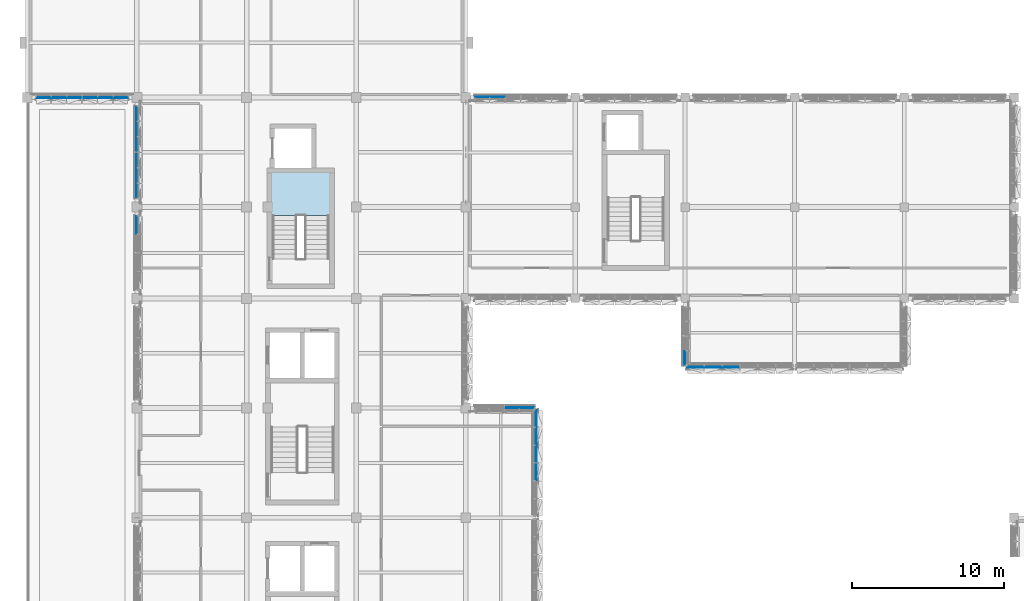
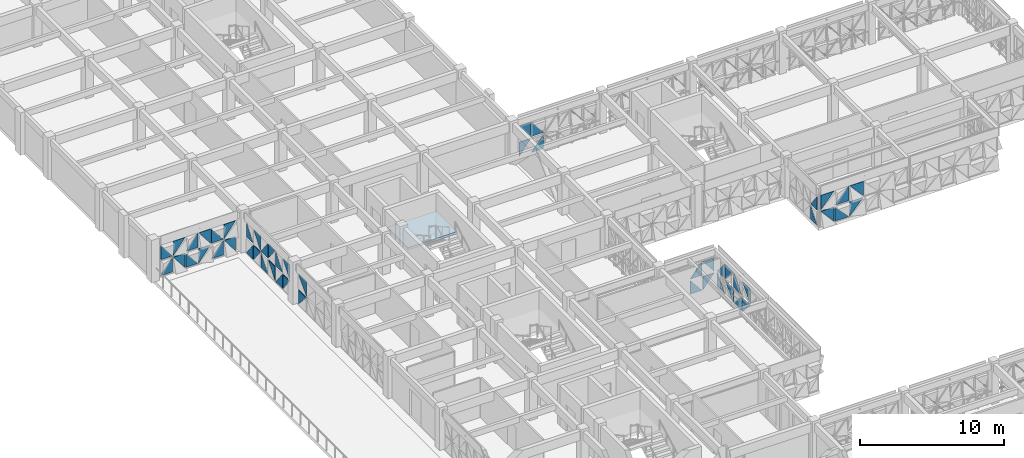
# One storey, part 34 of 85: 50 plates, 1 slab, 9 elements without a shape of their own.
"""IFC4 building model written with IfcOpenShell, lengths in metres."""

from ifc_helpers import new_model, si_unit, direction, frame, origin, place, context, subcontext, project, spatial, polyline, outline, extrude, material, layer, layer_set, type_object, element, aggregate, save


model = new_model("IFC4")

# Units and contexts
model_context = context("Model", 3, precision=1e-05, world=origin(), true_north=direction((0.0, 1.0)))
body_context = subcontext(model_context, "Body", "Model", "MODEL_VIEW")
ifc_project = project(units=[si_unit("LENGTHUNIT", "METRE"), si_unit("AREAUNIT", "SQUARE_METRE"), si_unit("VOLUMEUNIT", "CUBIC_METRE"), si_unit("PLANEANGLEUNIT", "RADIAN"), si_unit("MASSUNIT", "GRAM", prefix="KILO")], contexts=[model_context])

# Site, building, storey
site_placement = place(None, origin())
site = spatial("IfcSite", under=ifc_project, at=site_placement, CompositionType="ELEMENT")
building_placement = place(site_placement, origin())
building = spatial("IfcBuilding", under=site, at=building_placement, Name="Alvorim Cloister Faculty of Sciences", CompositionType="ELEMENT")
storey_placement = place(building_placement, frame((0.0, 0.0, 8.550048828125)))
storey = spatial("IfcBuildingStorey", under=building, at=storey_placement, Name="L02", CompositionType="ELEMENT", Elevation=8.550048828125)

# Curtain wall, plates
ifc_material_1 = material(Name="Aluminium and Low-E Glass Curtain Wall", Category="aluminium")
curtain_wall_type_1 = type_object("IfcCurtainWallType", Name="CW-TRI-4920x2850", PredefinedType="USERDEFINED", material=ifc_material_1)
curtain_wall_1_placement = place(storey_placement, origin())
curtain_wall_1 = element("IfcCurtainWall", 1, at=curtain_wall_1_placement, inside=storey, type_object=curtain_wall_type_1, Name="L02 Diagonal Cassette Curtain Wall CW-0053", ObjectType="UNITISED CURTAIN WALL", PredefinedType="USERDEFINED")
ifc_material_2 = material(Name="Double Low-E Laminated Glass", Category="glass")
ifc_layer_1 = layer(ifc_material_2, 0.0400390625)
ifc_layer_set_1 = layer_set([ifc_layer_1], Name="Double Low-E Laminated Glass")
plate_type = type_object("IfcPlateType", Name="PN-GLZ-40", PredefinedType="CURTAIN_PANEL", material=ifc_layer_set_1)
plate_1_placement = place(storey_placement, frame((7.175048828125, 47.46240234375, 0.139892578125), z_axis=(0.0, 0.0, 1.0), x_axis=(0.0, 1.0, 0.0)))
plate_1 = element("IfcPlate", 2, at=plate_1_placement, type_object=plate_type, Name="Diagonal Glazed Triangle TRI-TR", PredefinedType="CURTAIN_PANEL", context=body_context, shape_type="SweptSolid", body=[
    extrude(outline(polyline([(1.132568359375, 0.001953125), (1.132568359375, 1.215087890625), (0.001953125, 1.215087890625), (1.132568359375, 0.001953125)])), frame((0.0, 0.02490234375, 0.0), z_axis=(0.0, -1.0, 0.0), x_axis=(1.0, 0.0, 0.0)), (0.0, 0.0, 1.0), 0.050048828125),
])
plate_2_placement = place(storey_placement, frame((7.175048828125, 47.46240234375, 1.494873046875), z_axis=(0.0, 0.0, 1.0), x_axis=(0.0, 1.0, 0.0)))
plate_2 = element("IfcPlate", 3, at=plate_2_placement, type_object=plate_type, Name="Diagonal Glazed Triangle TRI-TL", PredefinedType="CURTAIN_PANEL", context=body_context, shape_type="SweptSolid", body=[
    extrude(outline(polyline([(1.130615234375, 1.215087890625), (0.0, 1.215087890625), (0.0, 0.001953125), (1.130615234375, 1.215087890625)])), frame((0.0, 0.02490234375, 0.0), z_axis=(0.0, -1.0, 0.0), x_axis=(1.0, 0.0, 0.0)), (0.0, 0.0, 1.0), 0.050048828125),
])
aggregate(curtain_wall_1, [plate_1, plate_2])

curtain_wall_type_2 = type_object("IfcCurtainWallType", Name="CW-TRI-6120x2850", PredefinedType="USERDEFINED", material=ifc_material_1)
curtain_wall_2_placement = place(storey_placement, origin())
curtain_wall_2 = element("IfcCurtainWall", 4, at=curtain_wall_2_placement, inside=storey, type_object=curtain_wall_type_2, Name="L02 Diagonal Cassette Curtain Wall CW-0054", ObjectType="UNITISED CURTAIN WALL", PredefinedType="USERDEFINED")
plate_3_placement = place(storey_placement, frame((7.175048828125, 49.804931640625, 0.139892578125), z_axis=(0.0, 0.0, 1.0), x_axis=(0.0, 1.0, 0.0)))
plate_3 = element("IfcPlate", 5, at=plate_3_placement, type_object=plate_type, Name="Diagonal Glazed Triangle TRI-TR", PredefinedType="CURTAIN_PANEL", context=body_context, shape_type="SweptSolid", body=[
    extrude(outline(polyline([(0.922607421875, 0.001953125), (0.922607421875, 1.215087890625), (0.001953125, 1.215087890625), (0.922607421875, 0.001953125)])), frame((0.0, 0.02490234375, 0.0), z_axis=(0.0, -1.0, 0.0), x_axis=(1.0, 0.0, 0.0)), (0.0, 0.0, 1.0), 0.050048828125),
])
plate_4_placement = place(storey_placement, frame((7.175048828125, 49.804931640625, 1.494873046875), z_axis=(0.0, 0.0, 1.0), x_axis=(0.0, 1.0, 0.0)))
plate_4 = element("IfcPlate", 6, at=plate_4_placement, type_object=plate_type, Name="Diagonal Glazed Triangle TRI-TL", PredefinedType="CURTAIN_PANEL", context=body_context, shape_type="SweptSolid", body=[
    extrude(outline(polyline([(0.920654296875, 1.215087890625), (0.0, 1.215087890625), (0.0, 0.001953125), (0.920654296875, 1.215087890625)])), frame((0.0, 0.02490234375, 0.0), z_axis=(0.0, -1.0, 0.0), x_axis=(1.0, 0.0, 0.0)), (0.0, 0.0, 1.0), 0.050048828125),
])
plate_5_placement = place(storey_placement, frame((7.175048828125, 50.79248046875, 0.139892578125), z_axis=(0.0, 0.0, 1.0), x_axis=(0.0, 1.0, 0.0)))
plate_5 = element("IfcPlate", 7, at=plate_5_placement, type_object=plate_type, Name="Diagonal Glazed Triangle TRI-BL", PredefinedType="CURTAIN_PANEL", context=body_context, shape_type="SweptSolid", body=[
    extrude(outline(polyline([(0.0, 0.0), (0.953125, 0.0), (0.0, 1.213134765625), (0.0, 0.0)])), frame((0.0, 0.02490234375, 0.0), z_axis=(0.0, -1.0, 0.0), x_axis=(1.0, 0.0, 0.0)), (0.0, 0.0, 1.0), 0.050048828125),
])
plate_6_placement = place(storey_placement, frame((7.175048828125, 50.79248046875, 1.494873046875), z_axis=(0.0, 0.0, 1.0), x_axis=(0.0, 1.0, 0.0)))
plate_6 = element("IfcPlate", 8, at=plate_6_placement, type_object=plate_type, Name="Diagonal Glazed Triangle TRI-BR", PredefinedType="CURTAIN_PANEL", context=body_context, shape_type="SweptSolid", body=[
    extrude(outline(polyline([(0.001953125, 0.0), (0.955078125, 0.0), (0.955078125, 1.213134765625), (0.001953125, 0.0)])), frame((0.0, 0.02490234375, 0.0), z_axis=(0.0, -1.0, 0.0), x_axis=(1.0, 0.0, 0.0)), (0.0, 0.0, 1.0), 0.050048828125),
])
plate_7_placement = place(storey_placement, frame((7.175048828125, 51.8125, 0.139892578125), z_axis=(0.0, 0.0, 1.0), x_axis=(0.0, 1.0, 0.0)))
plate_7 = element("IfcPlate", 9, at=plate_7_placement, type_object=plate_type, Name="Diagonal Glazed Triangle TRI-TL", PredefinedType="CURTAIN_PANEL", context=body_context, shape_type="SweptSolid", body=[
    extrude(outline(polyline([(0.953125, 1.215087890625), (0.0, 1.215087890625), (0.0, 0.001953125), (0.953125, 1.215087890625)])), frame((0.0, 0.02490234375, 0.0), z_axis=(0.0, -1.0, 0.0), x_axis=(1.0, 0.0, 0.0)), (0.0, 0.0, 1.0), 0.050048828125),
])
plate_8_placement = place(storey_placement, frame((7.175048828125, 51.8125, 1.494873046875), z_axis=(0.0, 0.0, 1.0), x_axis=(0.0, 1.0, 0.0)))
plate_8 = element("IfcPlate", 10, at=plate_8_placement, type_object=plate_type, Name="Diagonal Glazed Triangle TRI-TR", PredefinedType="CURTAIN_PANEL", context=body_context, shape_type="SweptSolid", body=[
    extrude(outline(polyline([(0.955078125, 0.001953125), (0.955078125, 1.215087890625), (0.001953125, 1.215087890625), (0.955078125, 0.001953125)])), frame((0.0, 0.02490234375, 0.0), z_axis=(0.0, -1.0, 0.0), x_axis=(1.0, 0.0, 0.0)), (0.0, 0.0, 1.0), 0.050048828125),
])
plate_9_placement = place(storey_placement, frame((7.175048828125, 52.83251953125, 0.139892578125), z_axis=(0.0, 0.0, 1.0), x_axis=(0.0, 1.0, 0.0)))
plate_9 = element("IfcPlate", 11, at=plate_9_placement, type_object=plate_type, Name="Diagonal Glazed Triangle TRI-BR", PredefinedType="CURTAIN_PANEL", context=body_context, shape_type="SweptSolid", body=[
    extrude(outline(polyline([(0.001953125, 0.0), (0.955078125, 0.0), (0.955078125, 1.213134765625), (0.001953125, 0.0)])), frame((0.0, 0.02490234375, 0.0), z_axis=(0.0, -1.0, 0.0), x_axis=(1.0, 0.0, 0.0)), (0.0, 0.0, 1.0), 0.050048828125),
])
plate_10_placement = place(storey_placement, frame((7.175048828125, 52.83251953125, 1.494873046875), z_axis=(0.0, 0.0, 1.0), x_axis=(0.0, 1.0, 0.0)))
plate_10 = element("IfcPlate", 12, at=plate_10_placement, type_object=plate_type, Name="Diagonal Glazed Triangle TRI-BL", PredefinedType="CURTAIN_PANEL", context=body_context, shape_type="SweptSolid", body=[
    extrude(outline(polyline([(0.0, 0.0), (0.953125, 0.0), (0.0, 1.213134765625), (0.0, 0.0)])), frame((0.0, 0.02490234375, 0.0), z_axis=(0.0, -1.0, 0.0), x_axis=(1.0, 0.0, 0.0)), (0.0, 0.0, 1.0), 0.050048828125),
])
plate_11_placement = place(storey_placement, frame((7.175048828125, 53.8525390625, 0.139892578125), z_axis=(0.0, 0.0, 1.0), x_axis=(0.0, 1.0, 0.0)))
plate_11 = element("IfcPlate", 13, at=plate_11_placement, type_object=plate_type, Name="Diagonal Glazed Triangle TRI-TR", PredefinedType="CURTAIN_PANEL", context=body_context, shape_type="SweptSolid", body=[
    extrude(outline(polyline([(0.955078125, 0.001953125), (0.955078125, 1.215087890625), (0.001953125, 1.215087890625), (0.955078125, 0.001953125)])), frame((0.0, 0.02490234375, 0.0), z_axis=(0.0, -1.0, 0.0), x_axis=(1.0, 0.0, 0.0)), (0.0, 0.0, 1.0), 0.050048828125),
])
plate_12_placement = place(storey_placement, frame((7.175048828125, 53.8525390625, 1.494873046875), z_axis=(0.0, 0.0, 1.0), x_axis=(0.0, 1.0, 0.0)))
plate_12 = element("IfcPlate", 14, at=plate_12_placement, type_object=plate_type, Name="Diagonal Glazed Triangle TRI-TL", PredefinedType="CURTAIN_PANEL", context=body_context, shape_type="SweptSolid", body=[
    extrude(outline(polyline([(0.953125, 1.215087890625), (0.0, 1.215087890625), (0.0, 0.001953125), (0.953125, 1.215087890625)])), frame((0.0, 0.02490234375, 0.0), z_axis=(0.0, -1.0, 0.0), x_axis=(1.0, 0.0, 0.0)), (0.0, 0.0, 1.0), 0.050048828125),
])
plate_13_placement = place(storey_placement, frame((7.175048828125, 54.87255859375, 0.139892578125), z_axis=(0.0, 0.0, 1.0), x_axis=(0.0, 1.0, 0.0)))
plate_13 = element("IfcPlate", 15, at=plate_13_placement, type_object=plate_type, Name="Diagonal Glazed Triangle TRI-BL", PredefinedType="CURTAIN_PANEL", context=body_context, shape_type="SweptSolid", body=[
    extrude(outline(polyline([(0.0, 0.0), (0.920654296875, 0.0), (0.0, 1.213134765625), (0.0, 0.0)])), frame((0.0, 0.02490234375, 0.0), z_axis=(0.0, -1.0, 0.0), x_axis=(1.0, 0.0, 0.0)), (0.0, 0.0, 1.0), 0.050048828125),
])
plate_14_placement = place(storey_placement, frame((7.175048828125, 54.87255859375, 1.494873046875), z_axis=(0.0, 0.0, 1.0), x_axis=(0.0, 1.0, 0.0)))
plate_14 = element("IfcPlate", 16, at=plate_14_placement, type_object=plate_type, Name="Diagonal Glazed Triangle TRI-BR", PredefinedType="CURTAIN_PANEL", context=body_context, shape_type="SweptSolid", body=[
    extrude(outline(polyline([(0.001953125, 0.0), (0.922607421875, 0.0), (0.922607421875, 1.213134765625), (0.001953125, 0.0)])), frame((0.0, 0.02490234375, 0.0), z_axis=(0.0, -1.0, 0.0), x_axis=(1.0, 0.0, 0.0)), (0.0, 0.0, 1.0), 0.050048828125),
])
aggregate(curtain_wall_2, [plate_3, plate_4, plate_5, plate_6, plate_7, plate_8, plate_9, plate_10, plate_11, plate_12, plate_13, plate_14])

curtain_wall_3_placement = place(storey_placement, origin())
curtain_wall_3 = element("IfcCurtainWall", 17, at=curtain_wall_3_placement, inside=storey, type_object=curtain_wall_type_2, Name="L02 Diagonal Cassette Curtain Wall CW-0055", ObjectType="UNITISED CURTAIN WALL", PredefinedType="USERDEFINED")
plate_15_placement = place(storey_placement, frame((0.60498046875, 56.375, 0.139892578125), z_axis=(0.0, 0.0, 1.0), x_axis=(1.0, 0.0, 0.0)))
plate_15 = element("IfcPlate", 18, at=plate_15_placement, type_object=plate_type, Name="Diagonal Glazed Triangle TRI-BR", PredefinedType="CURTAIN_PANEL", context=body_context, shape_type="SweptSolid", body=[
    extrude(outline(polyline([(0.001953125, 0.0), (0.922607421875, 0.0), (0.922607421875, 1.213134765625), (0.001953125, 0.0)])), frame((0.0, 0.02490234375, 0.0), z_axis=(0.0, -1.0, 0.0), x_axis=(1.0, 0.0, 0.0)), (0.0, 0.0, 1.0), 0.050048828125),
])
plate_16_placement = place(storey_placement, frame((0.60498046875, 56.375, 1.494873046875), z_axis=(0.0, 0.0, 1.0), x_axis=(1.0, 0.0, 0.0)))
plate_16 = element("IfcPlate", 19, at=plate_16_placement, type_object=plate_type, Name="Diagonal Glazed Triangle TRI-BL", PredefinedType="CURTAIN_PANEL", context=body_context, shape_type="SweptSolid", body=[
    extrude(outline(polyline([(0.0, 0.0), (0.920654296875, 0.0), (0.0, 1.213134765625), (0.0, 0.0)])), frame((0.0, 0.02490234375, 0.0), z_axis=(0.0, -1.0, 0.0), x_axis=(1.0, 0.0, 0.0)), (0.0, 0.0, 1.0), 0.050048828125),
])
plate_17_placement = place(storey_placement, frame((1.592529296875, 56.375, 0.139892578125), z_axis=(0.0, 0.0, 1.0), x_axis=(1.0, 0.0, 0.0)))
plate_17 = element("IfcPlate", 20, at=plate_17_placement, type_object=plate_type, Name="Diagonal Glazed Triangle TRI-TR", PredefinedType="CURTAIN_PANEL", context=body_context, shape_type="SweptSolid", body=[
    extrude(outline(polyline([(0.955078125, 0.001953125), (0.955078125, 1.215087890625), (0.001953125, 1.215087890625), (0.955078125, 0.001953125)])), frame((0.0, 0.02490234375, 0.0), z_axis=(0.0, -1.0, 0.0), x_axis=(1.0, 0.0, 0.0)), (0.0, 0.0, 1.0), 0.050048828125),
])
plate_18_placement = place(storey_placement, frame((1.592529296875, 56.375, 1.494873046875), z_axis=(0.0, 0.0, 1.0), x_axis=(1.0, 0.0, 0.0)))
plate_18 = element("IfcPlate", 21, at=plate_18_placement, type_object=plate_type, Name="Diagonal Glazed Triangle TRI-TL", PredefinedType="CURTAIN_PANEL", context=body_context, shape_type="SweptSolid", body=[
    extrude(outline(polyline([(0.953125, 1.215087890625), (0.0, 1.215087890625), (0.0, 0.001953125), (0.953125, 1.215087890625)])), frame((0.0, 0.02490234375, 0.0), z_axis=(0.0, -1.0, 0.0), x_axis=(1.0, 0.0, 0.0)), (0.0, 0.0, 1.0), 0.050048828125),
])
plate_19_placement = place(storey_placement, frame((2.612548828125, 56.375, 0.139892578125), z_axis=(0.0, 0.0, 1.0), x_axis=(1.0, 0.0, 0.0)))
plate_19 = element("IfcPlate", 22, at=plate_19_placement, type_object=plate_type, Name="Diagonal Glazed Triangle TRI-BL", PredefinedType="CURTAIN_PANEL", context=body_context, shape_type="SweptSolid", body=[
    extrude(outline(polyline([(0.0, 0.0), (0.953125, 0.0), (0.0, 1.213134765625), (0.0, 0.0)])), frame((0.0, 0.02490234375, 0.0), z_axis=(0.0, -1.0, 0.0), x_axis=(1.0, 0.0, 0.0)), (0.0, 0.0, 1.0), 0.050048828125),
])
plate_20_placement = place(storey_placement, frame((2.612548828125, 56.375, 1.494873046875), z_axis=(0.0, 0.0, 1.0), x_axis=(1.0, 0.0, 0.0)))
plate_20 = element("IfcPlate", 23, at=plate_20_placement, type_object=plate_type, Name="Diagonal Glazed Triangle TRI-BR", PredefinedType="CURTAIN_PANEL", context=body_context, shape_type="SweptSolid", body=[
    extrude(outline(polyline([(0.001953125, 0.0), (0.955078125, 0.0), (0.955078125, 1.213134765625), (0.001953125, 0.0)])), frame((0.0, 0.02490234375, 0.0), z_axis=(0.0, -1.0, 0.0), x_axis=(1.0, 0.0, 0.0)), (0.0, 0.0, 1.0), 0.050048828125),
])
plate_21_placement = place(storey_placement, frame((3.632568359375, 56.375, 0.139892578125), z_axis=(0.0, 0.0, 1.0), x_axis=(1.0, 0.0, 0.0)))
plate_21 = element("IfcPlate", 24, at=plate_21_placement, type_object=plate_type, Name="Diagonal Glazed Triangle TRI-TL", PredefinedType="CURTAIN_PANEL", context=body_context, shape_type="SweptSolid", body=[
    extrude(outline(polyline([(0.953125, 1.215087890625), (0.0, 1.215087890625), (0.0, 0.001953125), (0.953125, 1.215087890625)])), frame((0.0, 0.02490234375, 0.0), z_axis=(0.0, -1.0, 0.0), x_axis=(1.0, 0.0, 0.0)), (0.0, 0.0, 1.0), 0.050048828125),
])
plate_22_placement = place(storey_placement, frame((3.632568359375, 56.375, 1.494873046875), z_axis=(0.0, 0.0, 1.0), x_axis=(1.0, 0.0, 0.0)))
plate_22 = element("IfcPlate", 25, at=plate_22_placement, type_object=plate_type, Name="Diagonal Glazed Triangle TRI-TR", PredefinedType="CURTAIN_PANEL", context=body_context, shape_type="SweptSolid", body=[
    extrude(outline(polyline([(0.955078125, 0.001953125), (0.955078125, 1.215087890625), (0.001953125, 1.215087890625), (0.955078125, 0.001953125)])), frame((0.0, 0.02490234375, 0.0), z_axis=(0.0, -1.0, 0.0), x_axis=(1.0, 0.0, 0.0)), (0.0, 0.0, 1.0), 0.050048828125),
])
plate_23_placement = place(storey_placement, frame((4.652587890625, 56.375, 0.139892578125), z_axis=(0.0, 0.0, 1.0), x_axis=(1.0, 0.0, 0.0)))
plate_23 = element("IfcPlate", 26, at=plate_23_placement, type_object=plate_type, Name="Diagonal Glazed Triangle TRI-BR", PredefinedType="CURTAIN_PANEL", context=body_context, shape_type="SweptSolid", body=[
    extrude(outline(polyline([(0.001953125, 0.0), (0.955078125, 0.0), (0.955078125, 1.213134765625), (0.001953125, 0.0)])), frame((0.0, 0.02490234375, 0.0), z_axis=(0.0, -1.0, 0.0), x_axis=(1.0, 0.0, 0.0)), (0.0, 0.0, 1.0), 0.050048828125),
])
plate_24_placement = place(storey_placement, frame((4.652587890625, 56.375, 1.494873046875), z_axis=(0.0, 0.0, 1.0), x_axis=(1.0, 0.0, 0.0)))
plate_24 = element("IfcPlate", 27, at=plate_24_placement, type_object=plate_type, Name="Diagonal Glazed Triangle TRI-BL", PredefinedType="CURTAIN_PANEL", context=body_context, shape_type="SweptSolid", body=[
    extrude(outline(polyline([(0.0, 0.0), (0.953125, 0.0), (0.0, 1.213134765625), (0.0, 0.0)])), frame((0.0, 0.02490234375, 0.0), z_axis=(0.0, -1.0, 0.0), x_axis=(1.0, 0.0, 0.0)), (0.0, 0.0, 1.0), 0.050048828125),
])
plate_25_placement = place(storey_placement, frame((5.672607421875, 56.375, 0.139892578125), z_axis=(0.0, 0.0, 1.0), x_axis=(1.0, 0.0, 0.0)))
plate_25 = element("IfcPlate", 28, at=plate_25_placement, type_object=plate_type, Name="Diagonal Glazed Triangle TRI-TR", PredefinedType="CURTAIN_PANEL", context=body_context, shape_type="SweptSolid", body=[
    extrude(outline(polyline([(0.922607421875, 0.001953125), (0.922607421875, 1.215087890625), (0.001953125, 1.215087890625), (0.922607421875, 0.001953125)])), frame((0.0, 0.02490234375, 0.0), z_axis=(0.0, -1.0, 0.0), x_axis=(1.0, 0.0, 0.0)), (0.0, 0.0, 1.0), 0.050048828125),
])
plate_26_placement = place(storey_placement, frame((5.672607421875, 56.375, 1.494873046875), z_axis=(0.0, 0.0, 1.0), x_axis=(1.0, 0.0, 0.0)))
plate_26 = element("IfcPlate", 29, at=plate_26_placement, type_object=plate_type, Name="Diagonal Glazed Triangle TRI-TL", PredefinedType="CURTAIN_PANEL", context=body_context, shape_type="SweptSolid", body=[
    extrude(outline(polyline([(0.920654296875, 1.215087890625), (0.0, 1.215087890625), (0.0, 0.001953125), (0.920654296875, 1.215087890625)])), frame((0.0, 0.02490234375, 0.0), z_axis=(0.0, -1.0, 0.0), x_axis=(1.0, 0.0, 0.0)), (0.0, 0.0, 1.0), 0.050048828125),
])
aggregate(curtain_wall_3, [plate_15, plate_16, plate_17, plate_18, plate_19, plate_20, plate_21, plate_22, plate_23, plate_24, plate_25, plate_26])

curtain_wall_4_placement = place(storey_placement, origin())
curtain_wall_4 = element("IfcCurtainWall", 30, at=curtain_wall_4_placement, inside=storey, type_object=curtain_wall_type_2, Name="L02 Diagonal Cassette Curtain Wall CW-0056", ObjectType="UNITISED CURTAIN WALL", PredefinedType="USERDEFINED")
plate_27_placement = place(storey_placement, frame((29.405029296875, 56.425048828125, 0.139892578125), z_axis=(0.0, 0.0, 1.0), x_axis=(1.0, 0.0, 0.0)))
plate_27 = element("IfcPlate", 31, at=plate_27_placement, type_object=plate_type, Name="Diagonal Glazed Triangle TRI-TL", PredefinedType="CURTAIN_PANEL", context=body_context, shape_type="SweptSolid", body=[
    extrude(outline(polyline([(0.920654296875, 1.215087890625), (0.0, 1.215087890625), (0.0, 0.001953125), (0.920654296875, 1.215087890625)])), frame((0.0, 0.02490234375, 0.0), z_axis=(0.0, -1.0, 0.0), x_axis=(1.0, 0.0, 0.0)), (0.0, 0.0, 1.0), 0.050048828125),
])
plate_28_placement = place(storey_placement, frame((29.405029296875, 56.425048828125, 1.494873046875), z_axis=(0.0, 0.0, 1.0), x_axis=(1.0, 0.0, 0.0)))
plate_28 = element("IfcPlate", 32, at=plate_28_placement, type_object=plate_type, Name="Diagonal Glazed Triangle TRI-TR", PredefinedType="CURTAIN_PANEL", context=body_context, shape_type="SweptSolid", body=[
    extrude(outline(polyline([(0.922607421875, 0.001953125), (0.922607421875, 1.215087890625), (0.001953125, 1.215087890625), (0.922607421875, 0.001953125)])), frame((0.0, 0.02490234375, 0.0), z_axis=(0.0, -1.0, 0.0), x_axis=(1.0, 0.0, 0.0)), (0.0, 0.0, 1.0), 0.050048828125),
])
plate_29_placement = place(storey_placement, frame((30.392578125, 56.425048828125, 0.139892578125), z_axis=(0.0, 0.0, 1.0), x_axis=(1.0, 0.0, 0.0)))
plate_29 = element("IfcPlate", 33, at=plate_29_placement, type_object=plate_type, Name="Diagonal Glazed Triangle TRI-BR", PredefinedType="CURTAIN_PANEL", context=body_context, shape_type="SweptSolid", body=[
    extrude(outline(polyline([(0.001953125, 0.0), (0.955078125, 0.0), (0.955078125, 1.213134765625), (0.001953125, 0.0)])), frame((0.0, 0.02490234375, 0.0), z_axis=(0.0, -1.0, 0.0), x_axis=(1.0, 0.0, 0.0)), (0.0, 0.0, 1.0), 0.050048828125),
])
plate_30_placement = place(storey_placement, frame((30.392578125, 56.425048828125, 1.494873046875), z_axis=(0.0, 0.0, 1.0), x_axis=(1.0, 0.0, 0.0)))
plate_30 = element("IfcPlate", 34, at=plate_30_placement, type_object=plate_type, Name="Diagonal Glazed Triangle TRI-BL", PredefinedType="CURTAIN_PANEL", context=body_context, shape_type="SweptSolid", body=[
    extrude(outline(polyline([(0.0, 0.0), (0.953125, 0.0), (0.0, 1.213134765625), (0.0, 0.0)])), frame((0.0, 0.02490234375, 0.0), z_axis=(0.0, -1.0, 0.0), x_axis=(1.0, 0.0, 0.0)), (0.0, 0.0, 1.0), 0.050048828125),
])
aggregate(curtain_wall_4, [plate_27, plate_28, plate_29, plate_30])

curtain_wall_type_3 = type_object("IfcCurtainWallType", Name="CW-TRI-7040x2857", PredefinedType="USERDEFINED", material=ifc_material_1)
curtain_wall_5_placement = place(storey_placement, origin())
curtain_wall_5 = element("IfcCurtainWall", 35, at=curtain_wall_5_placement, inside=storey, type_object=curtain_wall_type_3, Name="L02 Diagonal Cassette Curtain Wall CW-0066", ObjectType="UNITISED CURTAIN WALL", PredefinedType="USERDEFINED")
plate_31_placement = place(storey_placement, frame((43.344970703125, 38.675048828125, 0.139892578125), z_axis=(0.0, 0.0, 1.0), x_axis=(1.0, 0.0, 0.0)))
plate_31 = element("IfcPlate", 36, at=plate_31_placement, type_object=plate_type, Name="Diagonal Glazed Triangle TRI-TR", PredefinedType="CURTAIN_PANEL", context=body_context, shape_type="SweptSolid", body=[
    extrude(outline(polyline([(1.075927734375, 0.001953125), (1.075927734375, 1.218505859375), (0.001953125, 1.218505859375), (1.075927734375, 0.001953125)])), frame((0.0, 0.02490234375, 0.0), z_axis=(0.0, -1.0, 0.0), x_axis=(1.0, 0.0, 0.0)), (0.0, 0.0, 1.0), 0.050048828125),
])
plate_32_placement = place(storey_placement, frame((43.344970703125, 38.675048828125, 1.49853515625), z_axis=(0.0, 0.0, 1.0), x_axis=(1.0, 0.0, 0.0)))
plate_32 = element("IfcPlate", 37, at=plate_32_placement, type_object=plate_type, Name="Diagonal Glazed Triangle TRI-TL", PredefinedType="CURTAIN_PANEL", context=body_context, shape_type="SweptSolid", body=[
    extrude(outline(polyline([(1.073974609375, 1.218505859375), (0.0, 1.218505859375), (0.0, 0.001953125), (1.073974609375, 1.218505859375)])), frame((0.0, 0.02490234375, 0.0), z_axis=(0.0, -1.0, 0.0), x_axis=(1.0, 0.0, 0.0)), (0.0, 0.0, 1.0), 0.050048828125),
])
plate_33_placement = place(storey_placement, frame((44.48583984375, 38.675048828125, 0.139892578125), z_axis=(0.0, 0.0, 1.0), x_axis=(1.0, 0.0, 0.0)))
plate_33 = element("IfcPlate", 38, at=plate_33_placement, type_object=plate_type, Name="Diagonal Glazed Triangle TRI-BL", PredefinedType="CURTAIN_PANEL", context=body_context, shape_type="SweptSolid", body=[
    extrude(outline(polyline([(0.0, 0.0), (1.1064453125, 0.0), (0.0, 1.216552734375), (0.0, 0.0)])), frame((0.0, 0.02490234375, 0.0), z_axis=(0.0, -1.0, 0.0), x_axis=(1.0, 0.0, 0.0)), (0.0, 0.0, 1.0), 0.050048828125),
])
plate_34_placement = place(storey_placement, frame((44.48583984375, 38.675048828125, 1.49853515625), z_axis=(0.0, 0.0, 1.0), x_axis=(1.0, 0.0, 0.0)))
plate_34 = element("IfcPlate", 39, at=plate_34_placement, type_object=plate_type, Name="Diagonal Glazed Triangle TRI-BR", PredefinedType="CURTAIN_PANEL", context=body_context, shape_type="SweptSolid", body=[
    extrude(outline(polyline([(0.001953125, 0.0), (1.1083984375, 0.0), (1.1083984375, 1.216552734375), (0.001953125, 0.0)])), frame((0.0, 0.02490234375, 0.0), z_axis=(0.0, -1.0, 0.0), x_axis=(1.0, 0.0, 0.0)), (0.0, 0.0, 1.0), 0.050048828125),
])
plate_35_placement = place(storey_placement, frame((45.6591796875, 38.675048828125, 0.139892578125), z_axis=(0.0, 0.0, 1.0), x_axis=(1.0, 0.0, 0.0)))
plate_35 = element("IfcPlate", 40, at=plate_35_placement, type_object=plate_type, Name="Diagonal Glazed Triangle TRI-TL", PredefinedType="CURTAIN_PANEL", context=body_context, shape_type="SweptSolid", body=[
    extrude(outline(polyline([(1.1064453125, 1.218505859375), (0.0, 1.218505859375), (0.0, 0.001953125), (1.1064453125, 1.218505859375)])), frame((0.0, 0.02490234375, 0.0), z_axis=(0.0, -1.0, 0.0), x_axis=(1.0, 0.0, 0.0)), (0.0, 0.0, 1.0), 0.050048828125),
])
plate_36_placement = place(storey_placement, frame((45.6591796875, 38.675048828125, 1.49853515625), z_axis=(0.0, 0.0, 1.0), x_axis=(1.0, 0.0, 0.0)))
plate_36 = element("IfcPlate", 41, at=plate_36_placement, type_object=plate_type, Name="Diagonal Glazed Triangle TRI-TR", PredefinedType="CURTAIN_PANEL", context=body_context, shape_type="SweptSolid", body=[
    extrude(outline(polyline([(1.1083984375, 0.001953125), (1.1083984375, 1.218505859375), (0.001953125, 1.218505859375), (1.1083984375, 0.001953125)])), frame((0.0, 0.02490234375, 0.0), z_axis=(0.0, -1.0, 0.0), x_axis=(1.0, 0.0, 0.0)), (0.0, 0.0, 1.0), 0.050048828125),
])
aggregate(curtain_wall_5, [plate_31, plate_32, plate_33, plate_34, plate_35, plate_36])

curtain_wall_type_4 = type_object("IfcCurtainWallType", Name="CW-TRI-3880x2706", PredefinedType="USERDEFINED", material=ifc_material_1)
curtain_wall_6_placement = place(storey_placement, origin())
curtain_wall_6 = element("IfcCurtainWall", 42, at=curtain_wall_6_placement, inside=storey, type_object=curtain_wall_type_4, Name="L02 Diagonal Cassette Curtain Wall CW-0067", ObjectType="UNITISED CURTAIN WALL", PredefinedType="USERDEFINED")
plate_37_placement = place(storey_placement, frame((43.175048828125, 38.844970703125, 0.139892578125), z_axis=(0.0, 0.0, 1.0), x_axis=(0.0, 1.0, 0.0)))
plate_37 = element("IfcPlate", 43, at=plate_37_placement, type_object=plate_type, Name="Diagonal Glazed Triangle TRI-BR", PredefinedType="CURTAIN_PANEL", context=body_context, shape_type="SweptSolid", body=[
    extrude(outline(polyline([(0.001953125, 0.0), (0.87255859375, 0.0), (0.87255859375, 1.14111328125), (0.001953125, 0.0)])), frame((0.0, 0.02490234375, 0.0), z_axis=(0.0, -1.0, 0.0), x_axis=(1.0, 0.0, 0.0)), (0.0, 0.0, 1.0), 0.050048828125),
])
plate_38_placement = place(storey_placement, frame((43.175048828125, 38.844970703125, 1.4228515625), z_axis=(0.0, 0.0, 1.0), x_axis=(0.0, 1.0, 0.0)))
plate_38 = element("IfcPlate", 44, at=plate_38_placement, type_object=plate_type, Name="Diagonal Glazed Triangle TRI-BL", PredefinedType="CURTAIN_PANEL", context=body_context, shape_type="SweptSolid", body=[
    extrude(outline(polyline([(0.0, 0.0), (0.87060546875, 0.0), (0.0, 1.14111328125), (0.0, 0.0)])), frame((0.0, 0.02490234375, 0.0), z_axis=(0.0, -1.0, 0.0), x_axis=(1.0, 0.0, 0.0)), (0.0, 0.0, 1.0), 0.050048828125),
])
aggregate(curtain_wall_6, [plate_37, plate_38])

curtain_wall_type_5 = type_object("IfcCurtainWallType", Name="CW-TRI-3980x2706", PredefinedType="USERDEFINED", material=ifc_material_1)
curtain_wall_7_placement = place(storey_placement, origin())
curtain_wall_7 = element("IfcCurtainWall", 45, at=curtain_wall_7_placement, inside=storey, type_object=curtain_wall_type_5, Name="L02 Diagonal Cassette Curtain Wall CW-0071", ObjectType="UNITISED CURTAIN WALL", PredefinedType="USERDEFINED")
plate_39_placement = place(storey_placement, frame((31.362548828125, 36.02490234375, 0.139892578125), z_axis=(0.0, 0.0, 1.0), x_axis=(1.0, 0.0, 0.0)))
plate_39 = element("IfcPlate", 46, at=plate_39_placement, type_object=plate_type, Name="Diagonal Glazed Triangle TRI-BL", PredefinedType="CURTAIN_PANEL", context=body_context, shape_type="SweptSolid", body=[
    extrude(outline(polyline([(0.0, 0.0), (0.927978515625, 0.0), (0.0, 1.14111328125), (0.0, 0.0)])), frame((0.0, 0.02490234375, 0.0), z_axis=(0.0, -1.0, 0.0), x_axis=(1.0, 0.0, 0.0)), (0.0, 0.0, 1.0), 0.050048828125),
])
plate_40_placement = place(storey_placement, frame((31.362548828125, 36.02490234375, 1.4228515625), z_axis=(0.0, 0.0, 1.0), x_axis=(1.0, 0.0, 0.0)))
plate_40 = element("IfcPlate", 47, at=plate_40_placement, type_object=plate_type, Name="Diagonal Glazed Triangle TRI-BR", PredefinedType="CURTAIN_PANEL", context=body_context, shape_type="SweptSolid", body=[
    extrude(outline(polyline([(0.001953125, 0.0), (0.929931640625, 0.0), (0.929931640625, 1.14111328125), (0.001953125, 0.0)])), frame((0.0, 0.02490234375, 0.0), z_axis=(0.0, -1.0, 0.0), x_axis=(1.0, 0.0, 0.0)), (0.0, 0.0, 1.0), 0.050048828125),
])
plate_41_placement = place(storey_placement, frame((32.357421875, 36.02490234375, 0.139892578125), z_axis=(0.0, 0.0, 1.0), x_axis=(1.0, 0.0, 0.0)))
plate_41 = element("IfcPlate", 48, at=plate_41_placement, type_object=plate_type, Name="Diagonal Glazed Triangle TRI-TL", PredefinedType="CURTAIN_PANEL", context=body_context, shape_type="SweptSolid", body=[
    extrude(outline(polyline([(0.8955078125, 1.14306640625), (0.0, 1.14306640625), (0.0, 0.001953125), (0.8955078125, 1.14306640625)])), frame((0.0, 0.02490234375, 0.0), z_axis=(0.0, -1.0, 0.0), x_axis=(1.0, 0.0, 0.0)), (0.0, 0.0, 1.0), 0.050048828125),
])
plate_42_placement = place(storey_placement, frame((32.357421875, 36.02490234375, 1.4228515625), z_axis=(0.0, 0.0, 1.0), x_axis=(1.0, 0.0, 0.0)))
plate_42 = element("IfcPlate", 49, at=plate_42_placement, type_object=plate_type, Name="Diagonal Glazed Triangle TRI-TR", PredefinedType="CURTAIN_PANEL", context=body_context, shape_type="SweptSolid", body=[
    extrude(outline(polyline([(0.8974609375, 0.001953125), (0.8974609375, 1.14306640625), (0.001953125, 1.14306640625), (0.8974609375, 0.001953125)])), frame((0.0, 0.02490234375, 0.0), z_axis=(0.0, -1.0, 0.0), x_axis=(1.0, 0.0, 0.0)), (0.0, 0.0, 1.0), 0.050048828125),
])
aggregate(curtain_wall_7, [plate_39, plate_40, plate_41, plate_42])

curtain_wall_8_placement = place(storey_placement, origin())
curtain_wall_8 = element("IfcCurtainWall", 50, at=curtain_wall_8_placement, inside=storey, type_object=curtain_wall_type_3, Name="L02 Diagonal Cassette Curtain Wall CW-0072", ObjectType="UNITISED CURTAIN WALL", PredefinedType="USERDEFINED")
plate_43_placement = place(storey_placement, frame((33.425048828125, 31.25927734375, 0.139892578125), z_axis=(0.0, 0.0, 1.0), x_axis=(0.0, 1.0, 0.0)))
plate_43 = element("IfcPlate", 51, at=plate_43_placement, type_object=plate_type, Name="Diagonal Glazed Triangle TRI-TR", PredefinedType="CURTAIN_PANEL", context=body_context, shape_type="SweptSolid", body=[
    extrude(outline(polyline([(1.1083984375, 0.001953125), (1.1083984375, 1.218505859375), (0.001953125, 1.218505859375), (1.1083984375, 0.001953125)])), frame((0.0, 0.02490234375, 0.0), z_axis=(0.0, -1.0, 0.0), x_axis=(1.0, 0.0, 0.0)), (0.0, 0.0, 1.0), 0.050048828125),
])
plate_44_placement = place(storey_placement, frame((33.425048828125, 31.25927734375, 1.49853515625), z_axis=(0.0, 0.0, 1.0), x_axis=(0.0, 1.0, 0.0)))
plate_44 = element("IfcPlate", 52, at=plate_44_placement, type_object=plate_type, Name="Diagonal Glazed Triangle TRI-TL", PredefinedType="CURTAIN_PANEL", context=body_context, shape_type="SweptSolid", body=[
    extrude(outline(polyline([(1.1064453125, 1.218505859375), (0.0, 1.218505859375), (0.0, 0.001953125), (1.1064453125, 1.218505859375)])), frame((0.0, 0.02490234375, 0.0), z_axis=(0.0, -1.0, 0.0), x_axis=(1.0, 0.0, 0.0)), (0.0, 0.0, 1.0), 0.050048828125),
])
plate_45_placement = place(storey_placement, frame((33.425048828125, 32.4326171875, 0.139892578125), z_axis=(0.0, 0.0, 1.0), x_axis=(0.0, 1.0, 0.0)))
plate_45 = element("IfcPlate", 53, at=plate_45_placement, type_object=plate_type, Name="Diagonal Glazed Triangle TRI-BL", PredefinedType="CURTAIN_PANEL", context=body_context, shape_type="SweptSolid", body=[
    extrude(outline(polyline([(0.0, 0.0), (1.1064453125, 0.0), (0.0, 1.216552734375), (0.0, 0.0)])), frame((0.0, 0.02490234375, 0.0), z_axis=(0.0, -1.0, 0.0), x_axis=(1.0, 0.0, 0.0)), (0.0, 0.0, 1.0), 0.050048828125),
])
plate_46_placement = place(storey_placement, frame((33.425048828125, 32.4326171875, 1.49853515625), z_axis=(0.0, 0.0, 1.0), x_axis=(0.0, 1.0, 0.0)))
plate_46 = element("IfcPlate", 54, at=plate_46_placement, type_object=plate_type, Name="Diagonal Glazed Triangle TRI-BR", PredefinedType="CURTAIN_PANEL", context=body_context, shape_type="SweptSolid", body=[
    extrude(outline(polyline([(0.001953125, 0.0), (1.1083984375, 0.0), (1.1083984375, 1.216552734375), (0.001953125, 0.0)])), frame((0.0, 0.02490234375, 0.0), z_axis=(0.0, -1.0, 0.0), x_axis=(1.0, 0.0, 0.0)), (0.0, 0.0, 1.0), 0.050048828125),
])
plate_47_placement = place(storey_placement, frame((33.425048828125, 33.605712890625, 0.139892578125), z_axis=(0.0, 0.0, 1.0), x_axis=(0.0, 1.0, 0.0)))
plate_47 = element("IfcPlate", 55, at=plate_47_placement, type_object=plate_type, Name="Diagonal Glazed Triangle TRI-TL", PredefinedType="CURTAIN_PANEL", context=body_context, shape_type="SweptSolid", body=[
    extrude(outline(polyline([(1.1064453125, 1.218505859375), (0.0, 1.218505859375), (0.0, 0.001953125), (1.1064453125, 1.218505859375)])), frame((0.0, 0.02490234375, 0.0), z_axis=(0.0, -1.0, 0.0), x_axis=(1.0, 0.0, 0.0)), (0.0, 0.0, 1.0), 0.050048828125),
])
plate_48_placement = place(storey_placement, frame((33.425048828125, 33.605712890625, 1.49853515625), z_axis=(0.0, 0.0, 1.0), x_axis=(0.0, 1.0, 0.0)))
plate_48 = element("IfcPlate", 56, at=plate_48_placement, type_object=plate_type, Name="Diagonal Glazed Triangle TRI-TR", PredefinedType="CURTAIN_PANEL", context=body_context, shape_type="SweptSolid", body=[
    extrude(outline(polyline([(1.1083984375, 0.001953125), (1.1083984375, 1.218505859375), (0.001953125, 1.218505859375), (1.1083984375, 0.001953125)])), frame((0.0, 0.02490234375, 0.0), z_axis=(0.0, -1.0, 0.0), x_axis=(1.0, 0.0, 0.0)), (0.0, 0.0, 1.0), 0.050048828125),
])
plate_49_placement = place(storey_placement, frame((33.425048828125, 34.779052734375, 0.139892578125), z_axis=(0.0, 0.0, 1.0), x_axis=(0.0, 1.0, 0.0)))
plate_49 = element("IfcPlate", 57, at=plate_49_placement, type_object=plate_type, Name="Diagonal Glazed Triangle TRI-BR", PredefinedType="CURTAIN_PANEL", context=body_context, shape_type="SweptSolid", body=[
    extrude(outline(polyline([(0.001953125, 0.0), (1.075927734375, 0.0), (1.075927734375, 1.216552734375), (0.001953125, 0.0)])), frame((0.0, 0.02490234375, 0.0), z_axis=(0.0, -1.0, 0.0), x_axis=(1.0, 0.0, 0.0)), (0.0, 0.0, 1.0), 0.050048828125),
])
plate_50_placement = place(storey_placement, frame((33.425048828125, 34.779052734375, 1.49853515625), z_axis=(0.0, 0.0, 1.0), x_axis=(0.0, 1.0, 0.0)))
plate_50 = element("IfcPlate", 58, at=plate_50_placement, type_object=plate_type, Name="Diagonal Glazed Triangle TRI-BL", PredefinedType="CURTAIN_PANEL", context=body_context, shape_type="SweptSolid", body=[
    extrude(outline(polyline([(0.0, 0.0), (1.073974609375, 0.0), (0.0, 1.216552734375), (0.0, 0.0)])), frame((0.0, 0.02490234375, 0.0), z_axis=(0.0, -1.0, 0.0), x_axis=(1.0, 0.0, 0.0)), (0.0, 0.0, 1.0), 0.050048828125),
])
aggregate(curtain_wall_8, [plate_43, plate_44, plate_45, plate_46, plate_47, plate_48, plate_49, plate_50])

# Stair, slab
ifc_material_3 = material(Name="Concrete C40", Category="concrete")
stair_type = type_object("IfcStairType", Name="STR-ST-03-1600x3600", PredefinedType="HALF_TURN_STAIR", material=ifc_material_3)
stair_placement = place(storey_placement, origin())
stair = element("IfcStair", 59, at=stair_placement, inside=storey, type_object=stair_type, Name="L02 Enclosed Smoke-Proof Stair ST-03", PredefinedType="HALF_TURN_STAIR")
ifc_layer_2 = layer(ifc_material_3, 0.199951171875)
ifc_layer_set_2 = layer_set([ifc_layer_2], Name="Concrete C40")
slab_type = type_object("IfcSlabType", Name="SL-LAND-200", PredefinedType="LANDING", material=ifc_layer_set_2)
slab_placement = place(storey_placement, frame((0.0, 0.0, 1.599853515625)))
slab = element("IfcSlab", 60, at=slab_placement, type_object=slab_type, Name="ST-03 landing 1", PredefinedType="LANDING", context=body_context, shape_type="SweptSolid", body=[
    extrude(outline(polyline([(19.93994140625, 48.635009765625), (19.93994140625, 51.52001953125), (15.97998046875, 51.52001953125), (15.97998046875, 48.635009765625), (19.93994140625, 48.635009765625)])), origin(), (0.0, 0.0, 1.0), 0.2001953125),
])
aggregate(stair, [slab])

save(model, "model.ifc")
